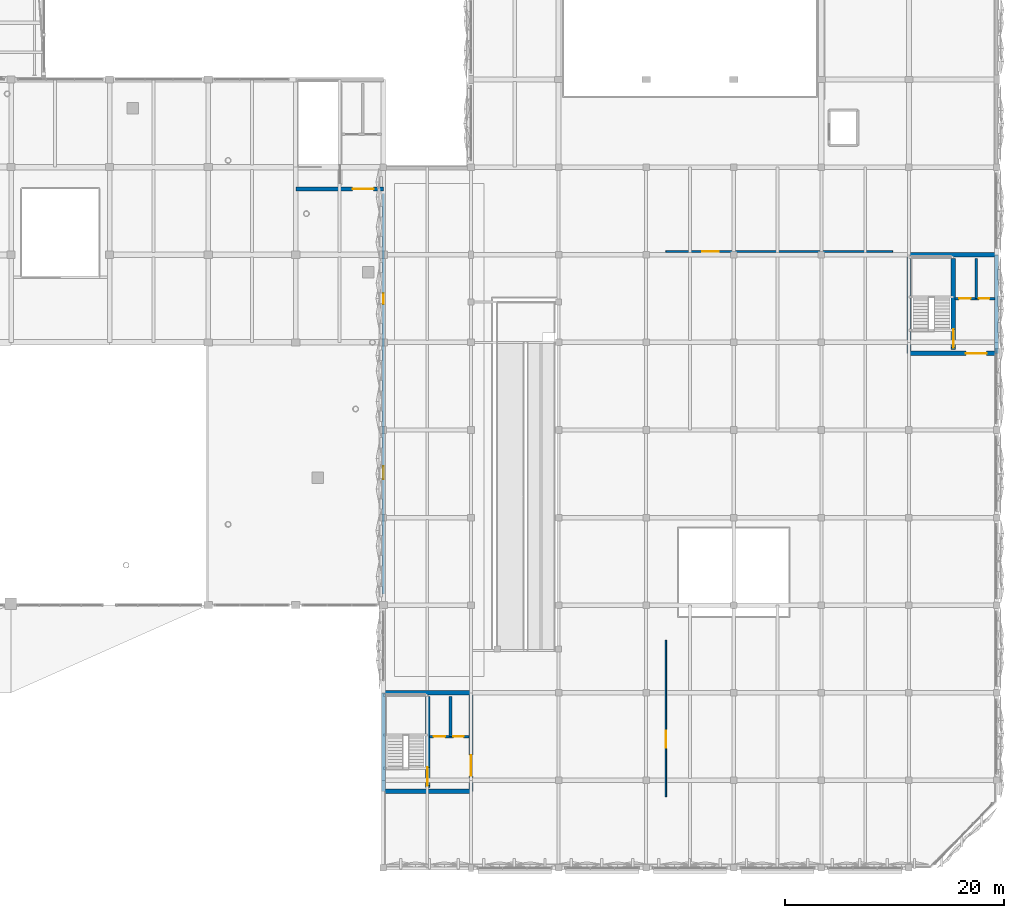
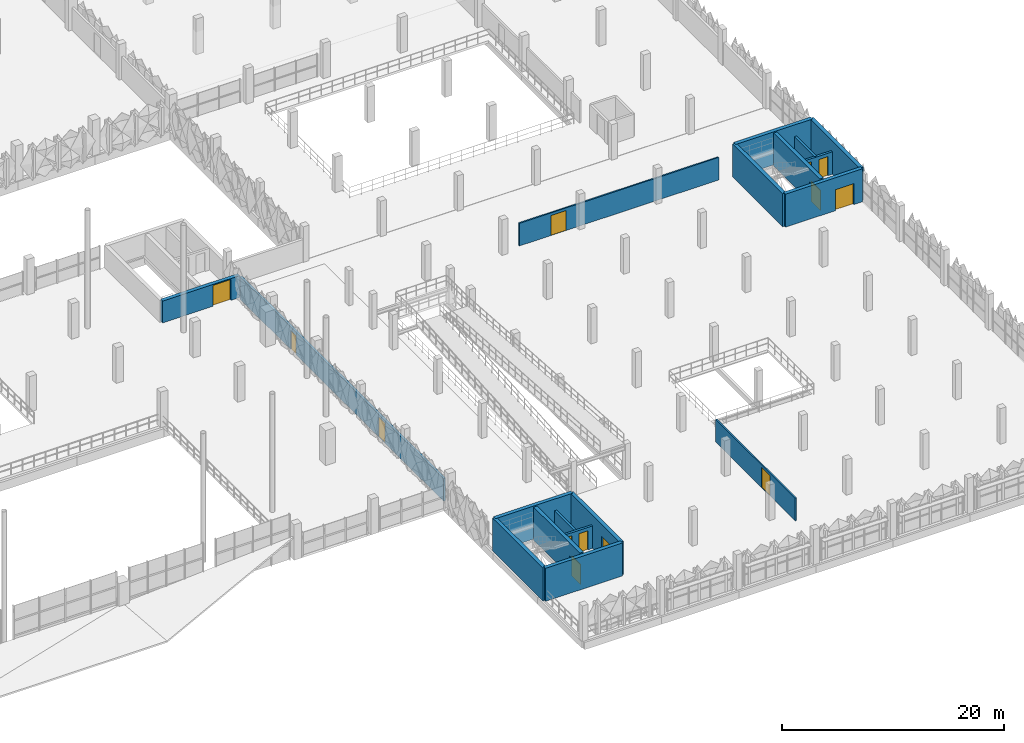
# One storey, part 77 of 123: 18 walls, 13 doors, 13 openings.
"""IFC4 building model written with IfcOpenShell, lengths in metres."""

from ifc_helpers import new_model, si_unit, derived_unit, direction, frame, frame_2d, origin, place, context, subcontext, project, spatial, rectangle, extrude, material, layer, layer_set, type_object, element, fill, save


model = new_model("IFC4")

# Units and contexts
model_context = context("Model", 3, precision=1e-05, world=origin(), true_north=direction((0.0, 1.0)))
body_context = subcontext(model_context, "Body", "Model", "MODEL_VIEW")
ifc_project = project(units=[si_unit("LENGTHUNIT", "METRE"), si_unit("AREAUNIT", "SQUARE_METRE"), si_unit("VOLUMEUNIT", "CUBIC_METRE"), si_unit("PLANEANGLEUNIT", "RADIAN"), si_unit("MASSUNIT", "GRAM", prefix="KILO"), si_unit("THERMODYNAMICTEMPERATUREUNIT", "KELVIN"), derived_unit("THERMALTRANSMITTANCEUNIT", [(si_unit("POWERUNIT", "WATT"), 1), (si_unit("AREAUNIT", "SQUARE_METRE"), -1), (si_unit("THERMODYNAMICTEMPERATUREUNIT", "KELVIN"), -1)])], contexts=[model_context])

# Site, building, storey
site_placement = place(None, origin())
site = spatial("IfcSite", under=ifc_project, at=site_placement, CompositionType="ELEMENT")
building_placement = place(site_placement, origin())
building = spatial("IfcBuilding", under=site, at=building_placement, Name="Haiyu Intermodal Mobility Hub", CompositionType="ELEMENT")
storey_placement = place(building_placement, frame((0.0, 0.0, 5.60009765625)))
storey = spatial("IfcBuildingStorey", under=building, at=storey_placement, Name="L01", CompositionType="ELEMENT", Elevation=5.60009765625)

# Wall
ifc_material_1 = material(Name="Autoclaved aerated concrete block A5.0", Category="concrete")
ifc_layer_1 = layer(ifc_material_1, 0.22998046875)
ifc_layer_set_1 = layer_set([ifc_layer_1], Name="Autoclaved aerated concrete block A5.0")
wall_type_1 = type_object("IfcWallType", Name="WAL-WI01", PredefinedType="PARTITIONING", material=ifc_layer_set_1)
wall_1_placement = place(storey_placement, frame((160.1298828125, 28.0, 0.0), z_axis=(0.0, 0.0, 1.0), x_axis=(0.0, 1.0, 0.0)))
element("IfcWall", 1, at=wall_1_placement, inside=storey, type_object=wall_type_1, Name="WAL-CORE-C8-LSH-L01", PredefinedType="PARTITIONING", context=body_context, shape_type="SweptSolid", body=[
    extrude(rectangle(XDim=3.64990234375, YDim=0.22998046875, at=frame_2d((1.824951171875, 0.0))), origin(), (0.0, 0.0, 1.0), 2.47998046875),
])

# Wall, openings, doors
wall_2_placement = place(storey_placement, frame((158.2099609375, 28.0, 0.0), z_axis=(0.0, 0.0, 1.0), x_axis=(1.0, 0.0, 0.0)))
wall_2 = element("IfcWall", 2, at=wall_2_placement, inside=storey, type_object=wall_type_1, Name="WAL-CORE-C8-LFT-L01", PredefinedType="PARTITIONING", context=body_context, shape_type="SweptSolid", body=[
    extrude(rectangle(XDim=3.630126953125, YDim=0.22998046875, at=frame_2d((1.81494140625, 0.0))), origin(), (0.0, 0.0, 1.0), 2.47998046875),
])
opening_1_placement = place(wall_2_placement, frame((0.3798828125, 0.0, 0.0)))
opening_1 = element("IfcOpeningElement", 3, at=opening_1_placement, cuts=wall_2, Name="Opening LD02", PredefinedType="OPENING", context=body_context, shape_type="SweptSolid", body=[
    extrude(rectangle(XDim=1.050048828125, YDim=2.14990234375, at=frame_2d((0.52490234375, 1.074951171875))), frame((0.0, 0.125, 0.0), z_axis=(0.0, -1.0, 0.0), x_axis=(1.0, 0.0, 0.0)), (0.0, 0.0, 1.0), 0.25),
])
opening_2_placement = place(wall_2_placement, frame((2.179931640625, 0.0, 0.0)))
opening_2 = element("IfcOpeningElement", 4, at=opening_2_placement, cuts=wall_2, Name="Opening DI07", PredefinedType="OPENING", context=body_context, shape_type="SweptSolid", body=[
    extrude(rectangle(XDim=0.949951171875, YDim=2.10009765625, at=frame_2d((0.47509765625, 1.050048828125))), frame((0.0, 0.125, 0.0), z_axis=(0.0, -1.0, 0.0), x_axis=(1.0, 0.0, 0.0)), (0.0, 0.0, 1.0), 0.25),
])
ifc_material_2 = material(Name="Steel Q355C", Category="steel")
door_type_1 = type_object("IfcDoorType", Name="DR-DI07", OperationType="NOTDEFINED", PredefinedType="DOOR", material=ifc_material_2)
door_1_placement = place(opening_2_placement, origin())
door_1 = element("IfcDoor", 5, at=door_1_placement, inside=storey, type_object=door_type_1, Name="Core C8 Accessible WC Door L01", OperationType="SINGLE_SWING_RIGHT", OverallHeight=2.10009765625, OverallWidth=0.949951171875, PredefinedType="DOOR", context=body_context, shape_type="SweptSolid", body=[
    extrude(rectangle(XDim=0.949951171875, YDim=2.10009765625, at=frame_2d((0.47509765625, 1.050048828125))), frame((0.0, 0.02490234375, 0.0), z_axis=(0.0, -1.0, 0.0), x_axis=(1.0, 0.0, 0.0)), (0.0, 0.0, 1.0), 0.050048828125),
])
fill(opening_2, door_1)
door_type_2 = type_object("IfcDoorType", Name="DR-LD02", OperationType="DOUBLE_DOOR_SLIDING", PredefinedType="DOOR", material=ifc_material_2)
door_2_placement = place(opening_1_placement, origin())
door_2 = element("IfcDoor", 6, at=door_2_placement, inside=storey, type_object=door_type_2, Name="Lift PL-03 Sliding Landing Door L01", OperationType="SLIDING_TO_LEFT", OverallHeight=2.14990234375, OverallWidth=1.050048828125, PredefinedType="DOOR", context=body_context, shape_type="SweptSolid", body=[
    extrude(rectangle(XDim=1.050048828125, YDim=2.14990234375, at=frame_2d((0.52490234375, 1.074951171875))), frame((0.0, 0.02490234375, 0.0), z_axis=(0.0, -1.0, 0.0), x_axis=(1.0, 0.0, 0.0)), (0.0, 0.0, 1.0), 0.050048828125),
])
fill(opening_1, door_2)

# Wall
wall_3_placement = place(storey_placement, frame((208.1298828125, 68.0, 0.0), z_axis=(0.0, 0.0, 1.0), x_axis=(0.0, 1.0, 0.0)))
element("IfcWall", 7, at=wall_3_placement, inside=storey, type_object=wall_type_1, Name="WAL-CORE-C9-LSH-L01", PredefinedType="PARTITIONING", context=body_context, shape_type="SweptSolid", body=[
    extrude(rectangle(XDim=3.64990234375, YDim=0.22998046875, at=frame_2d((1.824951171875, 0.0))), origin(), (0.0, 0.0, 1.0), 2.47998046875),
])

# Wall, openings, doors
wall_4_placement = place(storey_placement, frame((206.2099609375, 68.0, 0.0), z_axis=(0.0, 0.0, 1.0), x_axis=(1.0, 0.0, 0.0)))
wall_4 = element("IfcWall", 8, at=wall_4_placement, inside=storey, type_object=wall_type_1, Name="WAL-CORE-C9-LFT-L01", PredefinedType="PARTITIONING", context=body_context, shape_type="SweptSolid", body=[
    extrude(rectangle(XDim=3.630126953125, YDim=0.22998046875, at=frame_2d((1.81494140625, 0.0))), origin(), (0.0, 0.0, 1.0), 2.47998046875),
])
opening_3_placement = place(wall_4_placement, frame((0.3798828125, 0.0, 0.0)))
opening_3 = element("IfcOpeningElement", 9, at=opening_3_placement, cuts=wall_4, Name="Opening LD02", PredefinedType="OPENING", context=body_context, shape_type="SweptSolid", body=[
    extrude(rectangle(XDim=1.050048828125, YDim=2.14990234375, at=frame_2d((0.52490234375, 1.074951171875))), frame((0.0, 0.125, 0.0), z_axis=(0.0, -1.0, 0.0), x_axis=(1.0, 0.0, 0.0)), (0.0, 0.0, 1.0), 0.25),
])
opening_4_placement = place(wall_4_placement, frame((2.179931640625, 0.0, 0.0)))
opening_4 = element("IfcOpeningElement", 10, at=opening_4_placement, cuts=wall_4, Name="Opening DI07", PredefinedType="OPENING", context=body_context, shape_type="SweptSolid", body=[
    extrude(rectangle(XDim=0.949951171875, YDim=2.10009765625, at=frame_2d((0.47509765625, 1.050048828125))), frame((0.0, 0.125, 0.0), z_axis=(0.0, -1.0, 0.0), x_axis=(1.0, 0.0, 0.0)), (0.0, 0.0, 1.0), 0.25),
])
door_3_placement = place(opening_4_placement, origin())
door_3 = element("IfcDoor", 11, at=door_3_placement, inside=storey, type_object=door_type_1, Name="Core C9 Accessible WC Door L01", OperationType="SINGLE_SWING_RIGHT", OverallHeight=2.10009765625, OverallWidth=0.949951171875, PredefinedType="DOOR", context=body_context, shape_type="SweptSolid", body=[
    extrude(rectangle(XDim=0.949951171875, YDim=2.10009765625, at=frame_2d((0.47509765625, 1.050048828125))), frame((0.0, 0.02490234375, 0.0), z_axis=(0.0, -1.0, 0.0), x_axis=(1.0, 0.0, 0.0)), (0.0, 0.0, 1.0), 0.050048828125),
])
fill(opening_4, door_3)
door_4_placement = place(opening_3_placement, origin())
door_4 = element("IfcDoor", 12, at=door_4_placement, inside=storey, type_object=door_type_2, Name="Lift PL-04 Sliding Landing Door L01", OperationType="SLIDING_TO_LEFT", OverallHeight=2.14990234375, OverallWidth=1.050048828125, PredefinedType="DOOR", context=body_context, shape_type="SweptSolid", body=[
    extrude(rectangle(XDim=1.050048828125, YDim=2.14990234375, at=frame_2d((0.52490234375, 1.074951171875))), frame((0.0, 0.02490234375, 0.0), z_axis=(0.0, -1.0, 0.0), x_axis=(1.0, 0.0, 0.0)), (0.0, 0.0, 1.0), 0.050048828125),
])
fill(opening_3, door_4)

wall_5_placement = place(storey_placement, frame((154.0, 41.0, 0.0), z_axis=(0.0, 0.0, 1.0), x_axis=(0.0, 1.0, 0.0)))
wall_5 = element("IfcWall", 13, at=wall_5_placement, inside=storey, type_object=wall_type_1, Name="WAL-INT-0010", PredefinedType="PARTITIONING", context=body_context, shape_type="SweptSolid", body=[
    extrude(rectangle(XDim=36.60009765625, YDim=0.22998046875, at=frame_2d((18.300048828125, 0.0))), origin(), (0.0, 0.0, 1.0), 2.47998046875),
])
opening_5_placement = place(wall_5_placement, frame((10.5, 0.0, 0.0)))
opening_5 = element("IfcOpeningElement", 14, at=opening_5_placement, cuts=wall_5, Name="Opening DI03", PredefinedType="OPENING", context=body_context, shape_type="SweptSolid", body=[
    extrude(rectangle(XDim=1.199951171875, YDim=2.199951171875, at=frame_2d((0.60009765625, 1.10009765625))), frame((0.0, 0.125, 0.0), z_axis=(0.0, -1.0, 0.0), x_axis=(1.0, 0.0, 0.0)), (0.0, 0.0, 1.0), 0.25),
])
opening_6_placement = place(wall_5_placement, frame((26.5, 0.0, 0.0)))
opening_6 = element("IfcOpeningElement", 15, at=opening_6_placement, cuts=wall_5, Name="Opening DI17", PredefinedType="OPENING", context=body_context, shape_type="SweptSolid", body=[
    extrude(rectangle(XDim=0.97998046875, YDim=2.10009765625, at=frame_2d((0.489990234375, 1.050048828125))), frame((0.0, 0.125, 0.0), z_axis=(0.0, -1.0, 0.0), x_axis=(1.0, 0.0, 0.0)), (0.0, 0.0, 1.0), 0.25),
])
door_type_3 = type_object("IfcDoorType", Name="DR-DI03", OperationType="NOTDEFINED", PredefinedType="DOOR", material=ifc_material_2)
door_5_placement = place(opening_5_placement, origin())
door_5 = element("IfcDoor", 16, at=door_5_placement, inside=storey, type_object=door_type_3, Name="Concourse-Bicycle Fire Door L01-A", OperationType="DOUBLE_SWING_LEFT", OverallHeight=2.199951171875, OverallWidth=1.199951171875, PredefinedType="DOOR", context=body_context, shape_type="SweptSolid", body=[
    extrude(rectangle(XDim=1.199951171875, YDim=2.199951171875, at=frame_2d((0.60009765625, 1.10009765625))), frame((0.0, 0.02490234375, 0.0), z_axis=(0.0, -1.0, 0.0), x_axis=(1.0, 0.0, 0.0)), (0.0, 0.0, 1.0), 0.050048828125),
])
fill(opening_5, door_5)
ifc_material_3 = material(Name="Anodised aluminium 6063-T6", Category="aluminium")
door_type_4 = type_object("IfcDoorType", Name="DR-DI17", OperationType="NOTDEFINED", PredefinedType="DOOR", material=ifc_material_3)
door_6_placement = place(opening_6_placement, origin())
door_6 = element("IfcDoor", 17, at=door_6_placement, inside=storey, type_object=door_type_4, Name="Concourse-Bicycle Fire Door L01-B", OperationType="DOUBLE_SWING_RIGHT", OverallHeight=2.10009765625, OverallWidth=0.97998046875, PredefinedType="DOOR", context=body_context, shape_type="SweptSolid", body=[
    extrude(rectangle(XDim=0.97998046875, YDim=2.10009765625, at=frame_2d((0.489990234375, 1.050048828125))), frame((0.0, 0.02490234375, 0.0), z_axis=(0.0, -1.0, 0.0), x_axis=(1.0, 0.0, 0.0)), (0.0, 0.0, 1.0), 0.050048828125),
])
fill(opening_6, door_6)

# Wall, opening, door
ifc_material_4 = material(Name="Fire-rated gypsum and rockwool partition", Category="gypsum")
ifc_layer_2 = layer(ifc_material_4, 0.14990234375)
ifc_layer_set_2 = layer_set([ifc_layer_2], Name="Fire-rated gypsum and rockwool partition")
wall_type_2 = type_object("IfcWallType", Name="WAL-WI04", PredefinedType="PARTITIONING", material=ifc_layer_set_2)
wall_6_placement = place(storey_placement, frame((179.800048828125, 22.5, 0.0), z_axis=(0.0, 0.0, 1.0), x_axis=(0.0, 1.0, 0.0)))
wall_6 = element("IfcWall", 18, at=wall_6_placement, inside=storey, type_object=wall_type_2, Name="WAL-INT-0028", PredefinedType="PARTITIONING", context=body_context, shape_type="SweptSolid", body=[
    extrude(rectangle(XDim=14.300048828125, YDim=0.14990234375, at=frame_2d((7.14990234375, 0.0))), origin(), (0.0, 0.0, 1.0), 2.47998046875),
])
opening_7_placement = place(wall_6_placement, frame((4.5, 0.0, 0.0)))
opening_7 = element("IfcOpeningElement", 19, at=opening_7_placement, cuts=wall_6, Name="Opening DI04", PredefinedType="OPENING", context=body_context, shape_type="SweptSolid", body=[
    extrude(rectangle(XDim=1.550048828125, YDim=2.199951171875, at=frame_2d((0.77490234375, 1.10009765625))), frame((0.0, 0.0849609375, 0.0), z_axis=(0.0, -1.0, 0.0), x_axis=(1.0, 0.0, 0.0)), (0.0, 0.0, 1.0), 0.169921875),
])
door_type_5 = type_object("IfcDoorType", Name="DR-DI04", OperationType="DOUBLE_DOOR_SINGLE_SWING", PredefinedType="DOOR", material=ifc_material_2)
door_7_placement = place(opening_7_placement, origin())
door_7 = element("IfcDoor", 20, at=door_7_placement, inside=storey, type_object=door_type_5, Name="Cycle Rental Shop Door", OperationType="DOUBLE_SWING_LEFT", OverallHeight=2.199951171875, OverallWidth=1.550048828125, PredefinedType="DOOR", context=body_context, shape_type="SweptSolid", body=[
    extrude(rectangle(XDim=1.550048828125, YDim=2.199951171875, at=frame_2d((0.77490234375, 1.10009765625))), frame((0.0, 0.02490234375, 0.0), z_axis=(0.0, -1.0, 0.0), x_axis=(1.0, 0.0, 0.0)), (0.0, 0.0, 1.0), 0.050048828125),
])
fill(opening_7, door_7)

wall_7_placement = place(storey_placement, frame((179.800048828125, 72.300048828125, 0.0), z_axis=(0.0, 0.0, 1.0), x_axis=(1.0, 0.0, 0.0)))
wall_7 = element("IfcWall", 21, at=wall_7_placement, inside=storey, type_object=wall_type_2, Name="WAL-INT-0029", PredefinedType="PARTITIONING", context=body_context, shape_type="SweptSolid", body=[
    extrude(rectangle(XDim=20.699951171875, YDim=0.14990234375, at=frame_2d((10.35009765625, 0.0))), origin(), (0.0, 0.0, 1.0), 2.47998046875),
])
opening_8_placement = place(wall_7_placement, frame((3.300048828125, 0.0, 0.0)))
opening_8 = element("IfcOpeningElement", 22, at=opening_8_placement, cuts=wall_7, Name="Opening DI04", PredefinedType="OPENING", context=body_context, shape_type="SweptSolid", body=[
    extrude(rectangle(XDim=1.550048828125, YDim=2.199951171875, at=frame_2d((0.77490234375, 1.10009765625))), frame((0.0, 0.0849609375, 0.0), z_axis=(0.0, -1.0, 0.0), x_axis=(1.0, 0.0, 0.0)), (0.0, 0.0, 1.0), 0.169921875),
])
door_8_placement = place(opening_8_placement, origin())
door_8 = element("IfcDoor", 23, at=door_8_placement, inside=storey, type_object=door_type_5, Name="Shared Mobility Hall Door", OperationType="DOUBLE_SWING_RIGHT", OverallHeight=2.199951171875, OverallWidth=1.550048828125, PredefinedType="DOOR", context=body_context, shape_type="SweptSolid", body=[
    extrude(rectangle(XDim=1.550048828125, YDim=2.199951171875, at=frame_2d((0.77490234375, 1.10009765625))), frame((0.0, 0.02490234375, 0.0), z_axis=(0.0, -1.0, 0.0), x_axis=(1.0, 0.0, 0.0)), (0.0, 0.0, 1.0), 0.050048828125),
])
fill(opening_8, door_8)

ifc_material_5 = material(Name="Concrete C40", Category="concrete")
ifc_layer_3 = layer(ifc_material_5, 0.3798828125)
ifc_layer_set_3 = layer_set([ifc_layer_3], Name="Concrete C40")
wall_type_3 = type_object("IfcWallType", Name="WAL-WS03", PredefinedType="SHEAR", material=ifc_layer_set_3)
wall_8_placement = place(storey_placement, frame((146.0, 78.0, 0.0), z_axis=(0.0, 0.0, 1.0), x_axis=(1.0, 0.0, 0.0)))
wall_8 = element("IfcWall", 24, at=wall_8_placement, inside=storey, type_object=wall_type_3, Name="WAL-CORE-C2-S-L01", PredefinedType="SHEAR", context=body_context, shape_type="SweptSolid", body=[
    extrude(rectangle(XDim=8.0, YDim=0.3798828125, at=frame_2d((4.0, 0.0))), origin(), (0.0, 0.0, 1.0), 2.39990234375),
])
opening_9_placement = place(wall_8_placement, frame((5.199951171875, 0.0, 0.0)))
opening_9 = element("IfcOpeningElement", 25, at=opening_9_placement, cuts=wall_8, Name="Opening DI01", PredefinedType="OPENING", context=body_context, shape_type="SweptSolid", body=[
    extrude(rectangle(XDim=1.89990234375, YDim=2.300048828125, at=frame_2d((0.949951171875, 1.14990234375))), frame((0.0, 0.199951171875, 0.0), z_axis=(0.0, -1.0, 0.0), x_axis=(1.0, 0.0, 0.0)), (0.0, 0.0, 1.0), 0.39990234375),
])
door_type_6 = type_object("IfcDoorType", Name="DR-DI01", OperationType="DOUBLE_DOOR_SINGLE_SWING", PredefinedType="DOOR", material=ifc_material_2)
door_9_placement = place(opening_9_placement, origin())
door_9 = element("IfcDoor", 26, at=door_9_placement, inside=storey, type_object=door_type_6, Name="Core C2 Lobby Fire Door L01", OperationType="SINGLE_SWING_LEFT", OverallHeight=2.300048828125, OverallWidth=1.89990234375, PredefinedType="DOOR", context=body_context, shape_type="SweptSolid", body=[
    extrude(rectangle(XDim=1.89990234375, YDim=2.300048828125, at=frame_2d((0.949951171875, 1.14990234375))), frame((0.0, 0.02490234375, 0.0), z_axis=(0.0, -1.0, 0.0), x_axis=(1.0, 0.0, 0.0)), (0.0, 0.0, 1.0), 0.050048828125),
])
fill(opening_9, door_9)

# Wall
wall_9_placement = place(storey_placement, frame((154.0, 23.0, 0.0), z_axis=(0.0, 0.0, 1.0), x_axis=(1.0, 0.0, 0.0)))
element("IfcWall", 27, at=wall_9_placement, inside=storey, type_object=wall_type_3, Name="WAL-CORE-C8-S-L01", PredefinedType="SHEAR", context=body_context, shape_type="SweptSolid", body=[
    extrude(rectangle(XDim=8.0, YDim=0.3798828125, at=frame_2d((4.0, 0.0))), origin(), (0.0, 0.0, 1.0), 3.619873046875),
])

# Wall, opening, door
wall_10_placement = place(storey_placement, frame((162.0, 23.0, 0.0), z_axis=(0.0, 0.0, 1.0), x_axis=(0.0, 1.0, 0.0)))
wall_10 = element("IfcWall", 28, at=wall_10_placement, inside=storey, type_object=wall_type_3, Name="WAL-CORE-C8-E-L01", PredefinedType="SHEAR", context=body_context, shape_type="SweptSolid", body=[
    extrude(rectangle(XDim=9.0, YDim=0.3798828125, at=frame_2d((4.5, 0.0))), origin(), (0.0, 0.0, 1.0), 3.619873046875),
])
opening_10_placement = place(wall_10_placement, frame((1.39990234375, 0.0, 0.0)))
opening_10 = element("IfcOpeningElement", 29, at=opening_10_placement, cuts=wall_10, Name="Opening DI01", PredefinedType="OPENING", context=body_context, shape_type="SweptSolid", body=[
    extrude(rectangle(XDim=1.89990234375, YDim=2.300048828125, at=frame_2d((0.949951171875, 1.14990234375))), frame((0.0, 0.199951171875, 0.0), z_axis=(0.0, -1.0, 0.0), x_axis=(1.0, 0.0, 0.0)), (0.0, 0.0, 1.0), 0.39990234375),
])
door_10_placement = place(opening_10_placement, origin())
door_10 = element("IfcDoor", 30, at=door_10_placement, inside=storey, type_object=door_type_6, Name="Core C8 Lobby Fire Door L01", OperationType="SINGLE_SWING_LEFT", OverallHeight=2.300048828125, OverallWidth=1.89990234375, PredefinedType="DOOR", context=body_context, shape_type="SweptSolid", body=[
    extrude(rectangle(XDim=1.89990234375, YDim=2.300048828125, at=frame_2d((0.949951171875, 1.14990234375))), frame((0.0, 0.02490234375, 0.0), z_axis=(0.0, -1.0, 0.0), x_axis=(1.0, 0.0, 0.0)), (0.0, 0.0, 1.0), 0.050048828125),
])
fill(opening_10, door_10)

# Walls
wall_11_placement = place(storey_placement, frame((162.0, 32.0, 0.0), z_axis=(0.0, 0.0, 1.0), x_axis=(-1.0, 0.0, 0.0)))
element("IfcWall", 31, at=wall_11_placement, inside=storey, type_object=wall_type_3, Name="WAL-CORE-C8-N-L01", PredefinedType="SHEAR", context=body_context, shape_type="SweptSolid", body=[
    extrude(rectangle(XDim=8.0, YDim=0.3798828125, at=frame_2d((4.0, 0.0))), origin(), (0.0, 0.0, 1.0), 3.619873046875),
])
wall_12_placement = place(storey_placement, frame((154.0, 32.0, 0.0), z_axis=(0.0, 0.0, 1.0), x_axis=(0.0, -1.0, 0.0)))
element("IfcWall", 32, at=wall_12_placement, inside=storey, type_object=wall_type_3, Name="WAL-CORE-C8-W-L01", PredefinedType="SHEAR", context=body_context, shape_type="SweptSolid", body=[
    extrude(rectangle(XDim=9.0, YDim=0.3798828125, at=frame_2d((4.5, 0.0))), origin(), (0.0, 0.0, 1.0), 3.619873046875),
])

# Wall, opening, door
wall_13_placement = place(storey_placement, frame((158.050048828125, 23.35009765625, 0.0), z_axis=(0.0, 0.0, 1.0), x_axis=(0.0, 1.0, 0.0)))
wall_13 = element("IfcWall", 33, at=wall_13_placement, inside=storey, type_object=wall_type_3, Name="WAL-CORE-C8-MID-L01", PredefinedType="SHEAR", context=body_context, shape_type="SweptSolid", body=[
    extrude(rectangle(XDim=8.2998046875, YDim=0.3798828125, at=frame_2d((4.14990234375, 0.0))), origin(), (0.0, 0.0, 1.0), 3.619873046875),
])
opening_11_placement = place(wall_13_placement, frame((0.179931640625, 0.0, 0.0)))
opening_11 = element("IfcOpeningElement", 34, at=opening_11_placement, cuts=wall_13, Name="Opening DI02", PredefinedType="OPENING", context=body_context, shape_type="SweptSolid", body=[
    extrude(rectangle(XDim=1.64990234375, YDim=2.199951171875, at=frame_2d((0.824951171875, 1.10009765625))), frame((0.0, 0.199951171875, 0.0), z_axis=(0.0, -1.0, 0.0), x_axis=(1.0, 0.0, 0.0)), (0.0, 0.0, 1.0), 0.39990234375),
])
door_type_7 = type_object("IfcDoorType", Name="DR-DI02", OperationType="DOUBLE_DOOR_SINGLE_SWING", PredefinedType="DOOR", material=ifc_material_2)
door_11_placement = place(opening_11_placement, origin())
door_11 = element("IfcDoor", 35, at=door_11_placement, inside=storey, type_object=door_type_7, Name="Stair ST02 Fire Door L01", OperationType="SINGLE_SWING_LEFT", OverallHeight=2.199951171875, OverallWidth=1.64990234375, PredefinedType="DOOR", context=body_context, shape_type="SweptSolid", body=[
    extrude(rectangle(XDim=1.64990234375, YDim=2.199951171875, at=frame_2d((0.824951171875, 1.10009765625))), frame((0.0, 0.02490234375, 0.0), z_axis=(0.0, -1.0, 0.0), x_axis=(1.0, 0.0, 0.0)), (0.0, 0.0, 1.0), 0.050048828125),
])
fill(opening_11, door_11)

wall_14_placement = place(storey_placement, frame((202.0, 63.0, 0.0), z_axis=(0.0, 0.0, 1.0), x_axis=(1.0, 0.0, 0.0)))
wall_14 = element("IfcWall", 36, at=wall_14_placement, inside=storey, type_object=wall_type_3, Name="WAL-CORE-C9-S-L01", PredefinedType="SHEAR", context=body_context, shape_type="SweptSolid", body=[
    extrude(rectangle(XDim=8.0, YDim=0.3798828125, at=frame_2d((4.0, 0.0))), origin(), (0.0, 0.0, 1.0), 3.619873046875),
])
opening_12_placement = place(wall_14_placement, frame((5.199951171875, 0.0, 0.0)))
opening_12 = element("IfcOpeningElement", 37, at=opening_12_placement, cuts=wall_14, Name="Opening DI01", PredefinedType="OPENING", context=body_context, shape_type="SweptSolid", body=[
    extrude(rectangle(XDim=1.89990234375, YDim=2.300048828125, at=frame_2d((0.949951171875, 1.14990234375))), frame((0.0, 0.199951171875, 0.0), z_axis=(0.0, -1.0, 0.0), x_axis=(1.0, 0.0, 0.0)), (0.0, 0.0, 1.0), 0.39990234375),
])
door_12_placement = place(opening_12_placement, origin())
door_12 = element("IfcDoor", 38, at=door_12_placement, inside=storey, type_object=door_type_6, Name="Core C9 Lobby Fire Door L01", OperationType="SINGLE_SWING_RIGHT", OverallHeight=2.300048828125, OverallWidth=1.89990234375, PredefinedType="DOOR", context=body_context, shape_type="SweptSolid", body=[
    extrude(rectangle(XDim=1.89990234375, YDim=2.300048828125, at=frame_2d((0.949951171875, 1.14990234375))), frame((0.0, 0.02490234375, 0.0), z_axis=(0.0, -1.0, 0.0), x_axis=(1.0, 0.0, 0.0)), (0.0, 0.0, 1.0), 0.050048828125),
])
fill(opening_12, door_12)

# Walls
wall_15_placement = place(storey_placement, frame((210.0, 63.0, 0.0), z_axis=(0.0, 0.0, 1.0), x_axis=(0.0, 1.0, 0.0)))
element("IfcWall", 39, at=wall_15_placement, inside=storey, type_object=wall_type_3, Name="WAL-CORE-C9-E-L01", PredefinedType="SHEAR", context=body_context, shape_type="SweptSolid", body=[
    extrude(rectangle(XDim=9.0, YDim=0.3798828125, at=frame_2d((4.5, 0.0))), origin(), (0.0, 0.0, 1.0), 3.619873046875),
])
wall_16_placement = place(storey_placement, frame((210.0, 72.0, 0.0), z_axis=(0.0, 0.0, 1.0), x_axis=(-1.0, 0.0, 0.0)))
element("IfcWall", 40, at=wall_16_placement, inside=storey, type_object=wall_type_3, Name="WAL-CORE-C9-N-L01", PredefinedType="SHEAR", context=body_context, shape_type="SweptSolid", body=[
    extrude(rectangle(XDim=8.0, YDim=0.3798828125, at=frame_2d((4.0, 0.0))), origin(), (0.0, 0.0, 1.0), 3.619873046875),
])
wall_17_placement = place(storey_placement, frame((202.0, 72.0, 0.0), z_axis=(0.0, 0.0, 1.0), x_axis=(0.0, -1.0, 0.0)))
element("IfcWall", 41, at=wall_17_placement, inside=storey, type_object=wall_type_3, Name="WAL-CORE-C9-W-L01", PredefinedType="SHEAR", context=body_context, shape_type="SweptSolid", body=[
    extrude(rectangle(XDim=9.0, YDim=0.3798828125, at=frame_2d((4.5, 0.0))), origin(), (0.0, 0.0, 1.0), 3.619873046875),
])

# Wall, opening, door
wall_18_placement = place(storey_placement, frame((206.050048828125, 63.35009765625, 0.0), z_axis=(0.0, 0.0, 1.0), x_axis=(0.0, 1.0, 0.0)))
wall_18 = element("IfcWall", 42, at=wall_18_placement, inside=storey, type_object=wall_type_3, Name="WAL-CORE-C9-MID-L01", PredefinedType="SHEAR", context=body_context, shape_type="SweptSolid", body=[
    extrude(rectangle(XDim=8.2998046875, YDim=0.3798828125, at=frame_2d((4.14990234375, 0.0))), origin(), (0.0, 0.0, 1.0), 3.619873046875),
])
opening_13_placement = place(wall_18_placement, frame((0.179931640625, 0.0, 0.0)))
opening_13 = element("IfcOpeningElement", 43, at=opening_13_placement, cuts=wall_18, Name="Opening DI02", PredefinedType="OPENING", context=body_context, shape_type="SweptSolid", body=[
    extrude(rectangle(XDim=1.64990234375, YDim=2.199951171875, at=frame_2d((0.824951171875, 1.10009765625))), frame((0.0, 0.199951171875, 0.0), z_axis=(0.0, -1.0, 0.0), x_axis=(1.0, 0.0, 0.0)), (0.0, 0.0, 1.0), 0.39990234375),
])
door_13_placement = place(opening_13_placement, origin())
door_13 = element("IfcDoor", 44, at=door_13_placement, inside=storey, type_object=door_type_7, Name="Stair ST03 Fire Door L01", OperationType="SINGLE_SWING_RIGHT", OverallHeight=2.199951171875, OverallWidth=1.64990234375, PredefinedType="DOOR", context=body_context, shape_type="SweptSolid", body=[
    extrude(rectangle(XDim=1.64990234375, YDim=2.199951171875, at=frame_2d((0.824951171875, 1.10009765625))), frame((0.0, 0.02490234375, 0.0), z_axis=(0.0, -1.0, 0.0), x_axis=(1.0, 0.0, 0.0)), (0.0, 0.0, 1.0), 0.050048828125),
])
fill(opening_13, door_13)

save(model, "model.ifc")
